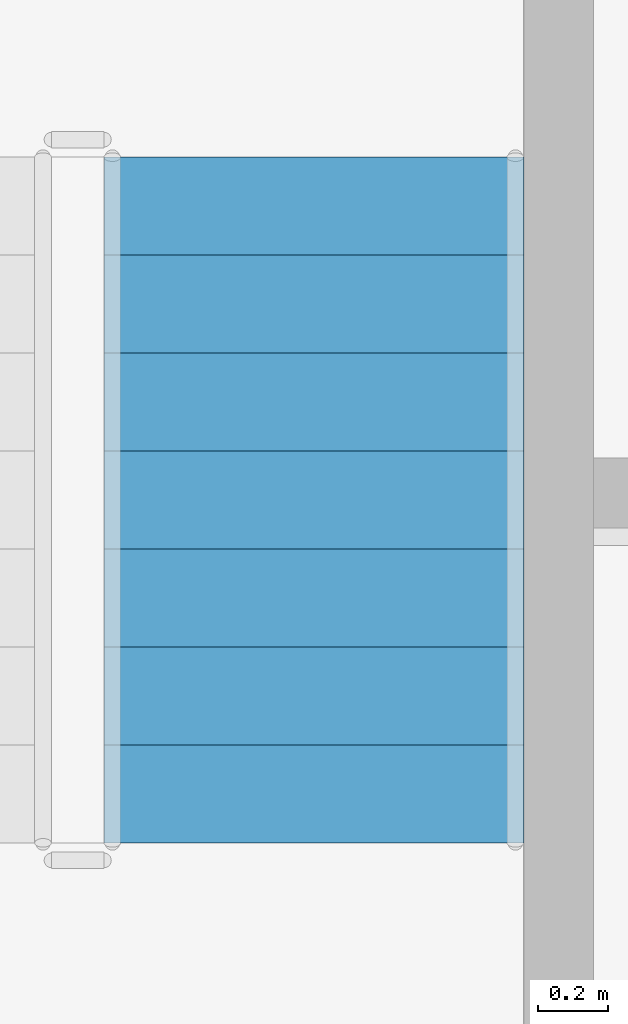
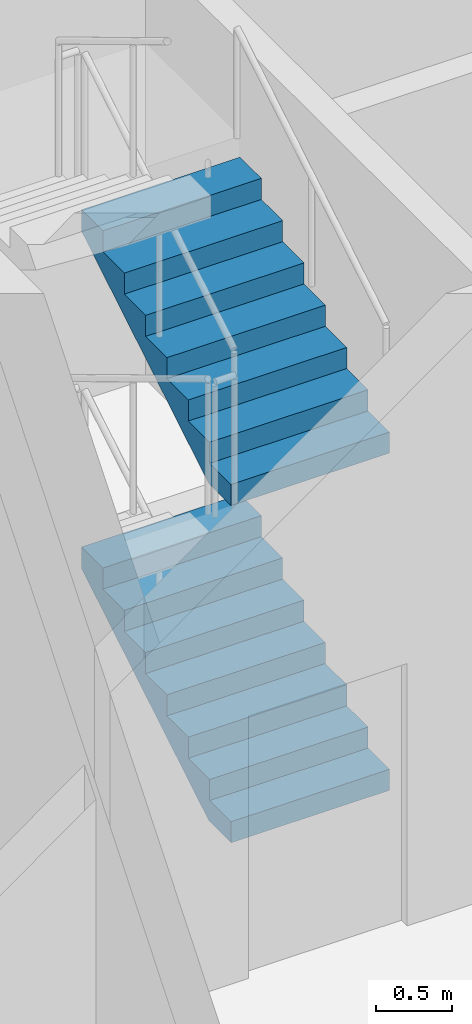
# One storey, part 40 of 101: 2 stair flights, 1 element without a shape of its own.
"""IFC4 building model written with IfcOpenShell, lengths in metres."""

from ifc_helpers import new_model, si_unit, direction, frame, origin, place, context, subcontext, project, spatial, triangles, material, type_object, element, aggregate, save


model = new_model("IFC4")

# Units and contexts
model_context = context("Model", 3, precision=1e-05, world=origin(), true_north=direction((0.0, 1.0)))
body_context = subcontext(model_context, "Body", "Model", "MODEL_VIEW")
ifc_project = project(units=[si_unit("LENGTHUNIT", "METRE"), si_unit("AREAUNIT", "SQUARE_METRE"), si_unit("VOLUMEUNIT", "CUBIC_METRE"), si_unit("PLANEANGLEUNIT", "RADIAN"), si_unit("MASSUNIT", "GRAM", prefix="KILO")], contexts=[model_context])

# Site, building, storey
site_placement = place(None, origin())
site = spatial("IfcSite", under=ifc_project, at=site_placement, CompositionType="ELEMENT")
building_placement = place(site_placement, origin())
building = spatial("IfcBuilding", under=site, at=building_placement, Name="Magnolia Steps Interchange", CompositionType="ELEMENT")
storey_placement = place(building_placement, frame((0.0, 0.0, -5.39990234375)))
storey = spatial("IfcBuildingStorey", under=building, at=storey_placement, Name="B1", CompositionType="ELEMENT", Elevation=-5.39990234375)

# Stair, stair flights
ifc_material_1 = material(Name="Concrete C40", Category="concrete")
stair_type = type_object("IfcStairType", Name="Exit stair 1200", PredefinedType="HALF_TURN_STAIR", material=ifc_material_1)
stair_placement = place(storey_placement, origin())
stair = element("IfcStair", 1, at=stair_placement, inside=storey, type_object=stair_type, Name="B1 Stair 17", PredefinedType="HALF_TURN_STAIR")
ifc_material_2 = material(Name="Concrete C40", Category="concrete")
stair_flight_type = type_object("IfcStairFlightType", Name="Exit stair flight", PredefinedType="STRAIGHT", material=ifc_material_2)
stair_flight_1_placement = place(storey_placement, frame((44.85009765625, 38.699951171875, 0.0), z_axis=(0.0, 0.0, 1.0), x_axis=(0.0, 1.0, 0.0)))
stair_flight_1 = element("IfcStairFlight", 2, at=stair_flight_1_placement, type_object=stair_flight_type, Name="Stair 17 flight 1", NumberOfRisers=8, NumberOfTreads=7, PredefinedType="STRAIGHT", RiserHeight=0.16875, TreadLength=0.28, context=body_context, shape_type="Tessellation", body=[
    triangles([(0.0, -0.5999755859375, 0.0), (0.29052734375, -0.5999755859375, 0.0), (1.9599609375, -0.5999755859375, 1.00634765625), (1.9599609375, -0.5999755859375, 1.18115234375), (1.679931640625, -0.5999755859375, 1.18115234375), (1.679931640625, -0.5999755859375, 1.012451171875), (1.39990234375, -0.5999755859375, 1.012451171875), (1.39990234375, -0.5999755859375, 0.84375), (1.1201171875, -0.5999755859375, 0.84375), (1.1201171875, -0.5999755859375, 0.675048828125), (0.840087890625, -0.5999755859375, 0.675048828125), (0.840087890625, -0.5999755859375, 0.50634765625), (0.56005859375, -0.5999755859375, 0.50634765625), (0.56005859375, -0.5999755859375, 0.33740234375), (0.280029296875, -0.5999755859375, 0.33740234375), (0.280029296875, -0.5999755859375, 0.168701171875), (0.0, -0.5999755859375, 0.168701171875), (0.0, 0.5999755859375, 0.0), (0.29052734375, 0.5999755859375, 0.0), (1.9599609375, 0.5999755859375, 1.00634765625), (1.9599609375, 0.5999755859375, 1.18115234375), (1.679931640625, 0.5999755859375, 1.18115234375), (1.679931640625, 0.5999755859375, 1.012451171875), (1.39990234375, 0.5999755859375, 1.012451171875), (1.39990234375, 0.5999755859375, 0.84375), (1.1201171875, 0.5999755859375, 0.84375), (1.1201171875, 0.5999755859375, 0.675048828125), (0.840087890625, 0.5999755859375, 0.675048828125), (0.840087890625, 0.5999755859375, 0.50634765625), (0.56005859375, 0.5999755859375, 0.50634765625), (0.56005859375, 0.5999755859375, 0.33740234375), (0.280029296875, 0.5999755859375, 0.33740234375), (0.280029296875, 0.5999755859375, 0.168701171875), (0.0, 0.5999755859375, 0.168701171875), (0.0, 0.0, 0.0), (0.0, 0.0, 0.04217529296875), (0.0, 0.0, 0.0843505859375), (0.0, 0.0, 0.12652587890625), (0.0, 0.0, 0.168701171875), (0.0, -0.05, 0.0), (0.0, -0.05, 0.168701171875), (0.0, 0.05, 0.0), (0.0, 0.05, 0.168701171875), (0.046671549479166664, 0.0, 0.168701171875), (0.09334309895833333, 0.0, 0.168701171875), (0.1400146484375, 0.0, 0.168701171875), (0.18668619791666666, 0.0, 0.168701171875), (0.23335774739583334, 0.0, 0.168701171875), (0.280029296875, 0.0, 0.168701171875), (0.280029296875, -0.05, 0.168701171875), (0.280029296875, 0.05, 0.168701171875), (0.280029296875, 0.0, 0.21087646484375), (0.280029296875, 0.0, 0.2530517578125), (0.280029296875, 0.0, 0.29522705078125), (0.280029296875, 0.0, 0.33740234375), (0.280029296875, -0.05, 0.33740234375), (0.280029296875, 0.05, 0.33740234375), (0.3267008463541667, 0.0, 0.33740234375), (0.3733723958333333, 0.0, 0.33740234375), (0.4200439453125, 0.0, 0.33740234375), (0.46671549479166663, 0.0, 0.33740234375), (0.5133870442708334, 0.0, 0.33740234375), (0.56005859375, 0.0, 0.33740234375), (0.56005859375, -0.05, 0.33740234375), (0.56005859375, 0.05, 0.33740234375), (0.56005859375, 0.0, 0.379638671875), (0.56005859375, 0.0, 0.421875), (0.56005859375, 0.0, 0.464111328125), (0.56005859375, 0.0, 0.50634765625), (0.56005859375, -0.05, 0.50634765625), (0.56005859375, 0.05, 0.50634765625), (0.6067301432291666, 0.0, 0.50634765625), (0.6534016927083334, 0.0, 0.50634765625), (0.7000732421875, 0.0, 0.50634765625), (0.7467447916666666, 0.0, 0.50634765625), (0.7934163411458334, 0.0, 0.50634765625), (0.840087890625, 0.0, 0.50634765625), (0.840087890625, -0.05, 0.50634765625), (0.840087890625, 0.05, 0.50634765625), (0.840087890625, 0.0, 0.54852294921875), (0.840087890625, 0.0, 0.5906982421875), (0.840087890625, 0.0, 0.63287353515625), (0.840087890625, 0.0, 0.675048828125), (0.840087890625, -0.05, 0.675048828125), (0.840087890625, 0.05, 0.675048828125), (0.8867594401041666, 0.0, 0.675048828125), (0.9334309895833334, 0.0, 0.675048828125), (0.9801025390625, 0.0, 0.675048828125), (1.0267740885416667, 0.0, 0.675048828125), (1.0734456380208333, 0.0, 0.675048828125), (1.1201171875, 0.0, 0.675048828125), (1.1201171875, -0.05, 0.675048828125), (1.1201171875, 0.05, 0.675048828125), (1.1201171875, 0.0, 0.71722412109375), (1.1201171875, 0.0, 0.7593994140625), (1.1201171875, 0.0, 0.80157470703125), (1.1201171875, 0.0, 0.84375), (1.1201171875, -0.05, 0.84375), (1.1201171875, 0.05, 0.84375), (1.1900634765625, 0.0, 0.84375), (1.260009765625, 0.0, 0.84375), (1.3299560546875, 0.0, 0.84375), (1.39990234375, 0.0, 0.84375), (1.39990234375, -0.05, 0.84375), (1.39990234375, 0.05, 0.84375), (1.39990234375, 0.0, 0.88592529296875), (1.39990234375, 0.0, 0.9281005859375), (1.39990234375, 0.0, 0.97027587890625), (1.39990234375, 0.0, 1.012451171875), (1.39990234375, -0.05, 1.012451171875), (1.39990234375, 0.05, 1.012451171875), (1.4465738932291667, 0.0, 1.012451171875), (1.4932454427083333, 0.0, 1.012451171875), (1.5399169921875, 0.0, 1.012451171875), (1.5865885416666667, 0.0, 1.012451171875), (1.6332600911458333, 0.0, 1.012451171875), (1.679931640625, 0.0, 1.012451171875), (1.679931640625, -0.05, 1.012451171875), (1.679931640625, 0.05, 1.012451171875), (1.679931640625, 0.0, 1.05462646484375), (1.679931640625, 0.0, 1.0968017578125), (1.679931640625, 0.0, 1.13897705078125), (1.679931640625, 0.0, 1.18115234375), (1.679931640625, -0.05, 1.18115234375), (1.679931640625, 0.05, 1.18115234375), (1.7266031901041667, 0.0, 1.18115234375), (1.7732747395833333, 0.0, 1.18115234375), (1.8199462890625, 0.0, 1.18115234375), (1.8666178385416667, 0.0, 1.18115234375), (1.9132893880208333, 0.0, 1.18115234375), (1.9599609375, 0.0, 1.18115234375), (1.9599609375, -0.05, 1.18115234375), (1.9599609375, 0.05, 1.18115234375), (1.9599609375, 0.0, 1.137451171875), (1.9599609375, 0.0, 1.09375), (1.9599609375, 0.0, 1.050048828125), (1.9599609375, 0.0, 1.00634765625), (1.9599609375, -0.05, 1.00634765625), (1.9599609375, 0.05, 1.00634765625), (1.9003383091517858, 0.0, 0.9704066685267857), (1.8407156808035714, 0.0, 0.9344656808035714), (1.7810930524553572, 0.0, 0.8985246930803571), (1.7214704241071428, 0.0, 0.8625837053571428), (1.6618477957589286, 0.0, 0.8266427176339286), (1.6022251674107144, 0.0, 0.7907017299107143), (1.5426025390625, 0.0, 0.7547607421875), (1.4829799107142856, 0.0, 0.7188197544642857), (1.4233572823660714, 0.0, 0.6828787667410714), (1.3637346540178572, 0.0, 0.6469377790178572), (1.3041120256696428, 0.0, 0.6109967912946428), (1.2444893973214286, 0.0, 0.5750558035714286), (1.1848667689732144, 0.0, 0.5391148158482143), (1.125244140625, 0.0, 0.503173828125), (1.0656215122767856, 0.0, 0.4672328404017857), (1.0059988839285714, 0.0, 0.4312918526785714), (0.9463762555803572, 0.0, 0.3953508649553571), (0.8867536272321428, 0.0, 0.3594098772321429), (0.8271309988839286, 0.0, 0.3234688895089286), (0.7675083705357142, 0.0, 0.2875279017857143), (0.7078857421875, 0.0, 0.2515869140625), (0.6482631138392858, 0.0, 0.2156459263392857), (0.5886404854910714, 0.0, 0.1797049386160714), (0.5290178571428572, 0.0, 0.1437639508928571), (0.4693952287946428, 0.0, 0.1078229631696429), (0.4097726004464286, 0.0, 0.0718819754464286), (0.3501499720982142, 0.0, 0.0359409877232143), (0.29052734375, 0.0, 0.0), (0.29052734375, -0.05, 0.0), (0.29052734375, 0.05, 0.0), (0.24210611979166666, 0.0, 0.0), (0.19368489583333331, 0.0, 0.0), (0.145263671875, 0.0, 0.0), (0.09684244791666666, 0.0, 0.0), (0.04842122395833334, 0.0, 0.0)], [[1, 2, 3], [3, 4, 5], [3, 5, 6], [3, 6, 7], [3, 7, 8], [8, 9, 10], [3, 8, 10], [10, 11, 12], [3, 10, 12], [12, 13, 14], [3, 12, 14], [14, 15, 16], [3, 14, 16], [1, 3, 16], [16, 17, 1], [18, 20, 19], [20, 22, 21], [20, 23, 22], [20, 24, 23], [20, 25, 24], [25, 27, 26], [20, 27, 25], [27, 29, 28], [20, 29, 27], [29, 31, 30], [20, 31, 29], [31, 33, 32], [20, 33, 31], [18, 33, 20], [33, 18, 34], [1, 17, 41], [1, 41, 40], [40, 36, 35], [40, 37, 36], [40, 41, 37], [41, 38, 37], [41, 39, 38], [18, 43, 34], [18, 42, 43], [42, 35, 36], [42, 36, 37], [42, 37, 43], [43, 37, 38], [43, 38, 39], [17, 16, 50], [17, 50, 41], [41, 44, 39], [41, 45, 44], [41, 46, 45], [41, 50, 46], [50, 47, 46], [50, 48, 47], [50, 49, 48], [34, 51, 33], [34, 43, 51], [43, 39, 44], [43, 44, 45], [43, 45, 46], [43, 46, 51], [51, 46, 47], [51, 47, 48], [51, 48, 49], [16, 15, 56], [16, 56, 50], [50, 52, 49], [50, 53, 52], [50, 56, 53], [56, 54, 53], [56, 55, 54], [33, 57, 32], [33, 51, 57], [51, 49, 52], [51, 52, 53], [51, 53, 57], [57, 53, 54], [57, 54, 55], [15, 14, 64], [15, 64, 56], [56, 58, 55], [56, 59, 58], [56, 60, 59], [56, 64, 60], [64, 61, 60], [64, 62, 61], [64, 63, 62], [32, 65, 31], [32, 57, 65], [57, 55, 58], [57, 58, 59], [57, 59, 60], [57, 60, 65], [65, 60, 61], [65, 61, 62], [65, 62, 63], [14, 13, 70], [14, 70, 64], [64, 66, 63], [64, 67, 66], [64, 70, 67], [70, 68, 67], [70, 69, 68], [31, 71, 30], [31, 65, 71], [65, 63, 66], [65, 66, 67], [65, 67, 71], [71, 67, 68], [71, 68, 69], [13, 12, 78], [13, 78, 70], [70, 72, 69], [70, 73, 72], [70, 74, 73], [70, 78, 74], [78, 75, 74], [78, 76, 75], [78, 77, 76], [30, 79, 29], [30, 71, 79], [71, 69, 72], [71, 72, 73], [71, 73, 74], [71, 74, 79], [79, 74, 75], [79, 75, 76], [79, 76, 77], [12, 11, 84], [12, 84, 78], [78, 80, 77], [78, 81, 80], [78, 84, 81], [84, 82, 81], [84, 83, 82], [29, 85, 28], [29, 79, 85], [79, 77, 80], [79, 80, 81], [79, 81, 85], [85, 81, 82], [85, 82, 83], [11, 10, 92], [11, 92, 84], [84, 86, 83], [84, 87, 86], [84, 88, 87], [84, 92, 88], [92, 89, 88], [92, 90, 89], [92, 91, 90], [28, 93, 27], [28, 85, 93], [85, 83, 86], [85, 86, 87], [85, 87, 88], [85, 88, 93], [93, 88, 89], [93, 89, 90], [93, 90, 91], [10, 9, 98], [10, 98, 92], [92, 94, 91], [92, 95, 94], [92, 98, 95], [98, 96, 95], [98, 97, 96], [27, 99, 26], [27, 93, 99], [93, 91, 94], [93, 94, 95], [93, 95, 99], [99, 95, 96], [99, 96, 97], [9, 8, 104], [9, 104, 98], [98, 100, 97], [98, 101, 100], [98, 104, 101], [104, 102, 101], [104, 103, 102], [26, 105, 25], [26, 99, 105], [99, 97, 100], [99, 100, 101], [99, 101, 105], [105, 101, 102], [105, 102, 103], [8, 7, 110], [8, 110, 104], [104, 106, 103], [104, 107, 106], [104, 110, 107], [110, 108, 107], [110, 109, 108], [25, 111, 24], [25, 105, 111], [105, 103, 106], [105, 106, 107], [105, 107, 111], [111, 107, 108], [111, 108, 109], [7, 6, 118], [7, 118, 110], [110, 112, 109], [110, 113, 112], [110, 114, 113], [110, 118, 114], [118, 115, 114], [118, 116, 115], [118, 117, 116], [24, 119, 23], [24, 111, 119], [111, 109, 112], [111, 112, 113], [111, 113, 114], [111, 114, 119], [119, 114, 115], [119, 115, 116], [119, 116, 117], [6, 5, 124], [6, 124, 118], [118, 120, 117], [118, 121, 120], [118, 124, 121], [124, 122, 121], [124, 123, 122], [23, 125, 22], [23, 119, 125], [119, 117, 120], [119, 120, 121], [119, 121, 125], [125, 121, 122], [125, 122, 123], [5, 4, 132], [5, 132, 124], [124, 126, 123], [124, 127, 126], [124, 128, 127], [124, 132, 128], [132, 129, 128], [132, 130, 129], [132, 131, 130], [22, 133, 21], [22, 125, 133], [125, 123, 126], [125, 126, 127], [125, 127, 128], [125, 128, 133], [133, 128, 129], [133, 129, 130], [133, 130, 131], [4, 3, 138], [4, 138, 132], [132, 134, 131], [132, 135, 134], [132, 138, 135], [138, 136, 135], [138, 137, 136], [21, 139, 20], [21, 133, 139], [133, 131, 134], [133, 134, 135], [133, 135, 139], [139, 135, 136], [139, 136, 137], [3, 2, 168], [3, 168, 138], [138, 140, 137], [138, 141, 140], [138, 142, 141], [138, 143, 142], [138, 144, 143], [138, 145, 144], [138, 146, 145], [138, 147, 146], [138, 148, 147], [138, 149, 148], [138, 150, 149], [138, 151, 150], [138, 152, 151], [138, 153, 152], [138, 168, 153], [168, 154, 153], [168, 155, 154], [168, 156, 155], [168, 157, 156], [168, 158, 157], [168, 159, 158], [168, 160, 159], [168, 161, 160], [168, 162, 161], [168, 163, 162], [168, 164, 163], [168, 165, 164], [168, 166, 165], [168, 167, 166], [20, 169, 19], [20, 139, 169], [139, 137, 140], [139, 140, 141], [139, 141, 142], [139, 142, 143], [139, 143, 144], [139, 144, 145], [139, 145, 146], [139, 146, 147], [139, 147, 148], [139, 148, 149], [139, 149, 150], [139, 150, 151], [139, 151, 152], [139, 152, 153], [139, 153, 169], [169, 153, 154], [169, 154, 155], [169, 155, 156], [169, 156, 157], [169, 157, 158], [169, 158, 159], [169, 159, 160], [169, 160, 161], [169, 161, 162], [169, 162, 163], [169, 163, 164], [169, 164, 165], [169, 165, 166], [169, 166, 167], [2, 1, 40], [2, 40, 168], [168, 170, 167], [168, 171, 170], [168, 172, 171], [168, 40, 172], [40, 173, 172], [40, 174, 173], [40, 35, 174], [19, 42, 18], [19, 169, 42], [169, 167, 170], [169, 170, 171], [169, 171, 172], [169, 172, 42], [42, 172, 173], [42, 173, 174], [42, 174, 35]], closed=True),
])
stair_flight_2_placement = place(storey_placement, frame((44.85009765625, 38.699951171875, 2.699951171875), z_axis=(0.0, 0.0, 1.0), x_axis=(0.0, 1.0, 0.0)))
stair_flight_2 = element("IfcStairFlight", 3, at=stair_flight_2_placement, type_object=stair_flight_type, Name="Stair 17 flight 3", NumberOfRisers=8, NumberOfTreads=7, PredefinedType="STRAIGHT", RiserHeight=0.16875, TreadLength=0.28, context=body_context, shape_type="Tessellation", body=[
    triangles([(0.0, -0.5999755859375, 0.0), (0.29052734375, -0.5999755859375, 0.0), (1.9599609375, -0.5999755859375, 1.00634765625), (1.9599609375, -0.5999755859375, 1.18115234375), (1.679931640625, -0.5999755859375, 1.18115234375), (1.679931640625, -0.5999755859375, 1.012451171875), (1.39990234375, -0.5999755859375, 1.012451171875), (1.39990234375, -0.5999755859375, 0.84375), (1.1201171875, -0.5999755859375, 0.84375), (1.1201171875, -0.5999755859375, 0.675048828125), (0.840087890625, -0.5999755859375, 0.675048828125), (0.840087890625, -0.5999755859375, 0.50634765625), (0.56005859375, -0.5999755859375, 0.50634765625), (0.56005859375, -0.5999755859375, 0.33740234375), (0.280029296875, -0.5999755859375, 0.33740234375), (0.280029296875, -0.5999755859375, 0.168701171875), (0.0, -0.5999755859375, 0.168701171875), (0.0, 0.5999755859375, 0.0), (0.29052734375, 0.5999755859375, 0.0), (1.9599609375, 0.5999755859375, 1.00634765625), (1.9599609375, 0.5999755859375, 1.18115234375), (1.679931640625, 0.5999755859375, 1.18115234375), (1.679931640625, 0.5999755859375, 1.012451171875), (1.39990234375, 0.5999755859375, 1.012451171875), (1.39990234375, 0.5999755859375, 0.84375), (1.1201171875, 0.5999755859375, 0.84375), (1.1201171875, 0.5999755859375, 0.675048828125), (0.840087890625, 0.5999755859375, 0.675048828125), (0.840087890625, 0.5999755859375, 0.50634765625), (0.56005859375, 0.5999755859375, 0.50634765625), (0.56005859375, 0.5999755859375, 0.33740234375), (0.280029296875, 0.5999755859375, 0.33740234375), (0.280029296875, 0.5999755859375, 0.168701171875), (0.0, 0.5999755859375, 0.168701171875), (0.0, 0.0, 0.0), (0.0, 0.0, 0.04217529296875), (0.0, 0.0, 0.0843505859375), (0.0, 0.0, 0.12652587890625), (0.0, 0.0, 0.168701171875), (0.0, -0.05, 0.0), (0.0, -0.05, 0.168701171875), (0.0, 0.05, 0.0), (0.0, 0.05, 0.168701171875), (0.046671549479166664, 0.0, 0.168701171875), (0.09334309895833333, 0.0, 0.168701171875), (0.1400146484375, 0.0, 0.168701171875), (0.18668619791666666, 0.0, 0.168701171875), (0.23335774739583334, 0.0, 0.168701171875), (0.280029296875, 0.0, 0.168701171875), (0.280029296875, -0.05, 0.168701171875), (0.280029296875, 0.05, 0.168701171875), (0.280029296875, 0.0, 0.21087646484375), (0.280029296875, 0.0, 0.2530517578125), (0.280029296875, 0.0, 0.29522705078125), (0.280029296875, 0.0, 0.33740234375), (0.280029296875, -0.05, 0.33740234375), (0.280029296875, 0.05, 0.33740234375), (0.3267008463541667, 0.0, 0.33740234375), (0.3733723958333333, 0.0, 0.33740234375), (0.4200439453125, 0.0, 0.33740234375), (0.46671549479166663, 0.0, 0.33740234375), (0.5133870442708334, 0.0, 0.33740234375), (0.56005859375, 0.0, 0.33740234375), (0.56005859375, -0.05, 0.33740234375), (0.56005859375, 0.05, 0.33740234375), (0.56005859375, 0.0, 0.379638671875), (0.56005859375, 0.0, 0.421875), (0.56005859375, 0.0, 0.464111328125), (0.56005859375, 0.0, 0.50634765625), (0.56005859375, -0.05, 0.50634765625), (0.56005859375, 0.05, 0.50634765625), (0.6067301432291666, 0.0, 0.50634765625), (0.6534016927083334, 0.0, 0.50634765625), (0.7000732421875, 0.0, 0.50634765625), (0.7467447916666666, 0.0, 0.50634765625), (0.7934163411458334, 0.0, 0.50634765625), (0.840087890625, 0.0, 0.50634765625), (0.840087890625, -0.05, 0.50634765625), (0.840087890625, 0.05, 0.50634765625), (0.840087890625, 0.0, 0.54852294921875), (0.840087890625, 0.0, 0.5906982421875), (0.840087890625, 0.0, 0.63287353515625), (0.840087890625, 0.0, 0.675048828125), (0.840087890625, -0.05, 0.675048828125), (0.840087890625, 0.05, 0.675048828125), (0.8867594401041666, 0.0, 0.675048828125), (0.9334309895833334, 0.0, 0.675048828125), (0.9801025390625, 0.0, 0.675048828125), (1.0267740885416667, 0.0, 0.675048828125), (1.0734456380208333, 0.0, 0.675048828125), (1.1201171875, 0.0, 0.675048828125), (1.1201171875, -0.05, 0.675048828125), (1.1201171875, 0.05, 0.675048828125), (1.1201171875, 0.0, 0.71722412109375), (1.1201171875, 0.0, 0.7593994140625), (1.1201171875, 0.0, 0.80157470703125), (1.1201171875, 0.0, 0.84375), (1.1201171875, -0.05, 0.84375), (1.1201171875, 0.05, 0.84375), (1.1900634765625, 0.0, 0.84375), (1.260009765625, 0.0, 0.84375), (1.3299560546875, 0.0, 0.84375), (1.39990234375, 0.0, 0.84375), (1.39990234375, -0.05, 0.84375), (1.39990234375, 0.05, 0.84375), (1.39990234375, 0.0, 0.88592529296875), (1.39990234375, 0.0, 0.9281005859375), (1.39990234375, 0.0, 0.97027587890625), (1.39990234375, 0.0, 1.012451171875), (1.39990234375, -0.05, 1.012451171875), (1.39990234375, 0.05, 1.012451171875), (1.4465738932291667, 0.0, 1.012451171875), (1.4932454427083333, 0.0, 1.012451171875), (1.5399169921875, 0.0, 1.012451171875), (1.5865885416666667, 0.0, 1.012451171875), (1.6332600911458333, 0.0, 1.012451171875), (1.679931640625, 0.0, 1.012451171875), (1.679931640625, -0.05, 1.012451171875), (1.679931640625, 0.05, 1.012451171875), (1.679931640625, 0.0, 1.05462646484375), (1.679931640625, 0.0, 1.0968017578125), (1.679931640625, 0.0, 1.13897705078125), (1.679931640625, 0.0, 1.18115234375), (1.679931640625, -0.05, 1.18115234375), (1.679931640625, 0.05, 1.18115234375), (1.7266031901041667, 0.0, 1.18115234375), (1.7732747395833333, 0.0, 1.18115234375), (1.8199462890625, 0.0, 1.18115234375), (1.8666178385416667, 0.0, 1.18115234375), (1.9132893880208333, 0.0, 1.18115234375), (1.9599609375, 0.0, 1.18115234375), (1.9599609375, -0.05, 1.18115234375), (1.9599609375, 0.05, 1.18115234375), (1.9599609375, 0.0, 1.137451171875), (1.9599609375, 0.0, 1.09375), (1.9599609375, 0.0, 1.050048828125), (1.9599609375, 0.0, 1.00634765625), (1.9599609375, -0.05, 1.00634765625), (1.9599609375, 0.05, 1.00634765625), (1.9003383091517858, 0.0, 0.9704066685267857), (1.8407156808035714, 0.0, 0.9344656808035714), (1.7810930524553572, 0.0, 0.8985246930803571), (1.7214704241071428, 0.0, 0.8625837053571428), (1.6618477957589286, 0.0, 0.8266427176339286), (1.6022251674107144, 0.0, 0.7907017299107143), (1.5426025390625, 0.0, 0.7547607421875), (1.4829799107142856, 0.0, 0.7188197544642857), (1.4233572823660714, 0.0, 0.6828787667410714), (1.3637346540178572, 0.0, 0.6469377790178572), (1.3041120256696428, 0.0, 0.6109967912946428), (1.2444893973214286, 0.0, 0.5750558035714286), (1.1848667689732144, 0.0, 0.5391148158482143), (1.125244140625, 0.0, 0.503173828125), (1.0656215122767856, 0.0, 0.4672328404017857), (1.0059988839285714, 0.0, 0.4312918526785714), (0.9463762555803572, 0.0, 0.3953508649553571), (0.8867536272321428, 0.0, 0.3594098772321429), (0.8271309988839286, 0.0, 0.3234688895089286), (0.7675083705357142, 0.0, 0.2875279017857143), (0.7078857421875, 0.0, 0.2515869140625), (0.6482631138392858, 0.0, 0.2156459263392857), (0.5886404854910714, 0.0, 0.1797049386160714), (0.5290178571428572, 0.0, 0.1437639508928571), (0.4693952287946428, 0.0, 0.1078229631696429), (0.4097726004464286, 0.0, 0.0718819754464286), (0.3501499720982142, 0.0, 0.0359409877232143), (0.29052734375, 0.0, 0.0), (0.29052734375, -0.05, 0.0), (0.29052734375, 0.05, 0.0), (0.24210611979166666, 0.0, 0.0), (0.19368489583333331, 0.0, 0.0), (0.145263671875, 0.0, 0.0), (0.09684244791666666, 0.0, 0.0), (0.04842122395833334, 0.0, 0.0)], [[1, 2, 3], [3, 4, 5], [3, 5, 6], [3, 6, 7], [3, 7, 8], [8, 9, 10], [3, 8, 10], [10, 11, 12], [3, 10, 12], [12, 13, 14], [3, 12, 14], [14, 15, 16], [3, 14, 16], [1, 3, 16], [16, 17, 1], [18, 20, 19], [20, 22, 21], [20, 23, 22], [20, 24, 23], [20, 25, 24], [25, 27, 26], [20, 27, 25], [27, 29, 28], [20, 29, 27], [29, 31, 30], [20, 31, 29], [31, 33, 32], [20, 33, 31], [18, 33, 20], [33, 18, 34], [1, 17, 41], [1, 41, 40], [40, 36, 35], [40, 37, 36], [40, 41, 37], [41, 38, 37], [41, 39, 38], [18, 43, 34], [18, 42, 43], [42, 35, 36], [42, 36, 37], [42, 37, 43], [43, 37, 38], [43, 38, 39], [17, 16, 50], [17, 50, 41], [41, 44, 39], [41, 45, 44], [41, 46, 45], [41, 50, 46], [50, 47, 46], [50, 48, 47], [50, 49, 48], [34, 51, 33], [34, 43, 51], [43, 39, 44], [43, 44, 45], [43, 45, 46], [43, 46, 51], [51, 46, 47], [51, 47, 48], [51, 48, 49], [16, 15, 56], [16, 56, 50], [50, 52, 49], [50, 53, 52], [50, 56, 53], [56, 54, 53], [56, 55, 54], [33, 57, 32], [33, 51, 57], [51, 49, 52], [51, 52, 53], [51, 53, 57], [57, 53, 54], [57, 54, 55], [15, 14, 64], [15, 64, 56], [56, 58, 55], [56, 59, 58], [56, 60, 59], [56, 64, 60], [64, 61, 60], [64, 62, 61], [64, 63, 62], [32, 65, 31], [32, 57, 65], [57, 55, 58], [57, 58, 59], [57, 59, 60], [57, 60, 65], [65, 60, 61], [65, 61, 62], [65, 62, 63], [14, 13, 70], [14, 70, 64], [64, 66, 63], [64, 67, 66], [64, 70, 67], [70, 68, 67], [70, 69, 68], [31, 71, 30], [31, 65, 71], [65, 63, 66], [65, 66, 67], [65, 67, 71], [71, 67, 68], [71, 68, 69], [13, 12, 78], [13, 78, 70], [70, 72, 69], [70, 73, 72], [70, 74, 73], [70, 78, 74], [78, 75, 74], [78, 76, 75], [78, 77, 76], [30, 79, 29], [30, 71, 79], [71, 69, 72], [71, 72, 73], [71, 73, 74], [71, 74, 79], [79, 74, 75], [79, 75, 76], [79, 76, 77], [12, 11, 84], [12, 84, 78], [78, 80, 77], [78, 81, 80], [78, 84, 81], [84, 82, 81], [84, 83, 82], [29, 85, 28], [29, 79, 85], [79, 77, 80], [79, 80, 81], [79, 81, 85], [85, 81, 82], [85, 82, 83], [11, 10, 92], [11, 92, 84], [84, 86, 83], [84, 87, 86], [84, 88, 87], [84, 92, 88], [92, 89, 88], [92, 90, 89], [92, 91, 90], [28, 93, 27], [28, 85, 93], [85, 83, 86], [85, 86, 87], [85, 87, 88], [85, 88, 93], [93, 88, 89], [93, 89, 90], [93, 90, 91], [10, 9, 98], [10, 98, 92], [92, 94, 91], [92, 95, 94], [92, 98, 95], [98, 96, 95], [98, 97, 96], [27, 99, 26], [27, 93, 99], [93, 91, 94], [93, 94, 95], [93, 95, 99], [99, 95, 96], [99, 96, 97], [9, 8, 104], [9, 104, 98], [98, 100, 97], [98, 101, 100], [98, 104, 101], [104, 102, 101], [104, 103, 102], [26, 105, 25], [26, 99, 105], [99, 97, 100], [99, 100, 101], [99, 101, 105], [105, 101, 102], [105, 102, 103], [8, 7, 110], [8, 110, 104], [104, 106, 103], [104, 107, 106], [104, 110, 107], [110, 108, 107], [110, 109, 108], [25, 111, 24], [25, 105, 111], [105, 103, 106], [105, 106, 107], [105, 107, 111], [111, 107, 108], [111, 108, 109], [7, 6, 118], [7, 118, 110], [110, 112, 109], [110, 113, 112], [110, 114, 113], [110, 118, 114], [118, 115, 114], [118, 116, 115], [118, 117, 116], [24, 119, 23], [24, 111, 119], [111, 109, 112], [111, 112, 113], [111, 113, 114], [111, 114, 119], [119, 114, 115], [119, 115, 116], [119, 116, 117], [6, 5, 124], [6, 124, 118], [118, 120, 117], [118, 121, 120], [118, 124, 121], [124, 122, 121], [124, 123, 122], [23, 125, 22], [23, 119, 125], [119, 117, 120], [119, 120, 121], [119, 121, 125], [125, 121, 122], [125, 122, 123], [5, 4, 132], [5, 132, 124], [124, 126, 123], [124, 127, 126], [124, 128, 127], [124, 132, 128], [132, 129, 128], [132, 130, 129], [132, 131, 130], [22, 133, 21], [22, 125, 133], [125, 123, 126], [125, 126, 127], [125, 127, 128], [125, 128, 133], [133, 128, 129], [133, 129, 130], [133, 130, 131], [4, 3, 138], [4, 138, 132], [132, 134, 131], [132, 135, 134], [132, 138, 135], [138, 136, 135], [138, 137, 136], [21, 139, 20], [21, 133, 139], [133, 131, 134], [133, 134, 135], [133, 135, 139], [139, 135, 136], [139, 136, 137], [3, 2, 168], [3, 168, 138], [138, 140, 137], [138, 141, 140], [138, 142, 141], [138, 143, 142], [138, 144, 143], [138, 145, 144], [138, 146, 145], [138, 147, 146], [138, 148, 147], [138, 149, 148], [138, 150, 149], [138, 151, 150], [138, 152, 151], [138, 153, 152], [138, 168, 153], [168, 154, 153], [168, 155, 154], [168, 156, 155], [168, 157, 156], [168, 158, 157], [168, 159, 158], [168, 160, 159], [168, 161, 160], [168, 162, 161], [168, 163, 162], [168, 164, 163], [168, 165, 164], [168, 166, 165], [168, 167, 166], [20, 169, 19], [20, 139, 169], [139, 137, 140], [139, 140, 141], [139, 141, 142], [139, 142, 143], [139, 143, 144], [139, 144, 145], [139, 145, 146], [139, 146, 147], [139, 147, 148], [139, 148, 149], [139, 149, 150], [139, 150, 151], [139, 151, 152], [139, 152, 153], [139, 153, 169], [169, 153, 154], [169, 154, 155], [169, 155, 156], [169, 156, 157], [169, 157, 158], [169, 158, 159], [169, 159, 160], [169, 160, 161], [169, 161, 162], [169, 162, 163], [169, 163, 164], [169, 164, 165], [169, 165, 166], [169, 166, 167], [2, 1, 40], [2, 40, 168], [168, 170, 167], [168, 171, 170], [168, 172, 171], [168, 40, 172], [40, 173, 172], [40, 174, 173], [40, 35, 174], [19, 42, 18], [19, 169, 42], [169, 167, 170], [169, 170, 171], [169, 171, 172], [169, 172, 42], [42, 172, 173], [42, 173, 174], [42, 174, 35]], closed=True),
])
aggregate(stair, [stair_flight_1, stair_flight_2])

save(model, "model.ifc")
